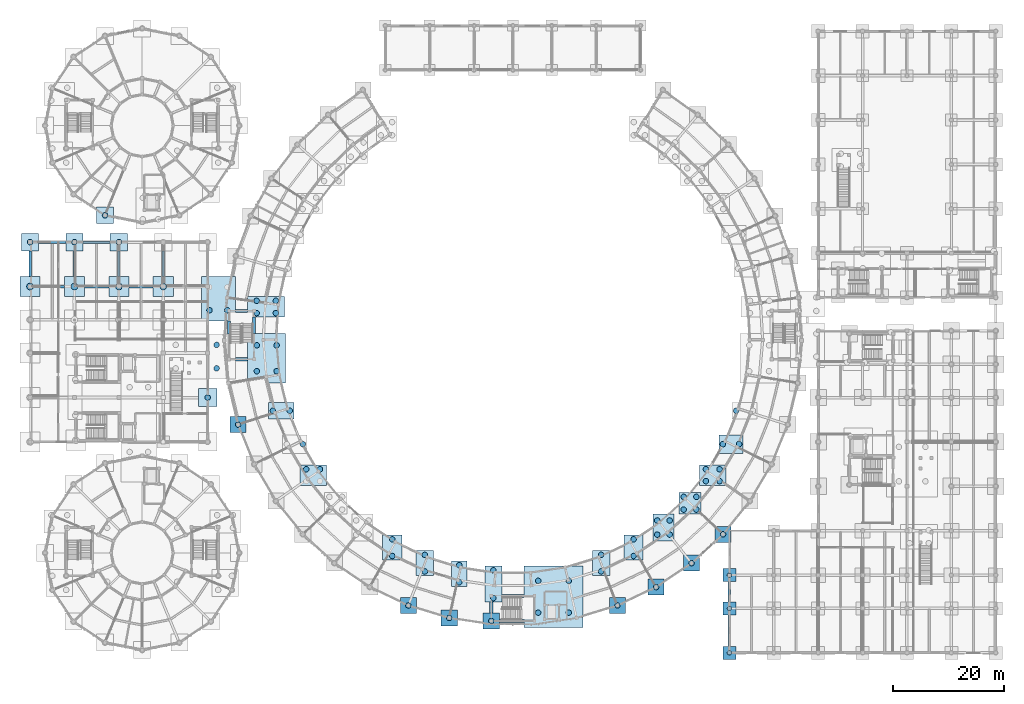
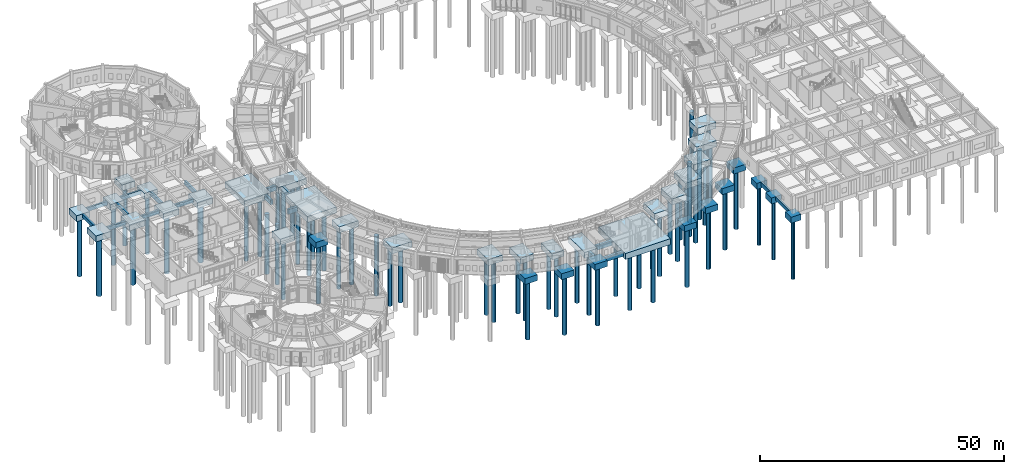
# One storey, part 2 of 153: 68 piles, 54 footings.
"""IFC4 building model written with IfcOpenShell, lengths in metres."""

import ifcopenshell
import ifcopenshell.guid

model = None  # the IFC model being written
_history = None  # IfcOwnerHistory: only IFC2X3 demands one
_inside = {}  # id of a spatial element -> (the spatial element, [elements in it])
_under = {}  # id of a project, library or spatial element -> (it, [spatial elements below it])
_declared = {}  # id of a project -> (the project, [libraries it declares])
_typed = {}  # id of a type object -> (the type object, [elements of that type])
_made_of = {}  # id of a material, layer set ... -> (it, [elements and type objects made of it])


def new_model(schema):
    """Start an empty IFC model of exactly this schema.

    Asked for "IFC4X3", IfcOpenShell would pick the latest addendum, in which some entities
    have other attributes; the version numbers below select the first issue.
    IFC2X3 requires an IfcOwnerHistory on every rooted entity: one is made here for all.
    """
    global model, _history
    if schema == "IFC4X3":
        model = ifcopenshell.file(schema_version=(4, 3, 0, 0))
    else:
        model = ifcopenshell.file(schema=schema)
    _inside.clear()
    _under.clear()
    _declared.clear()
    _typed.clear()
    _made_of.clear()
    _history = None
    if model.schema == "IFC2X3":
        org = make("IfcOrganization", Name="unknown")
        user = make(
            "IfcPersonAndOrganization",
            ThePerson=make("IfcPerson", FamilyName="unknown"),
            TheOrganization=org,
        )
        app = make(
            "IfcApplication",
            ApplicationDeveloper=org,
            Version="unknown",
            ApplicationFullName="unknown",
            ApplicationIdentifier="unknown",
        )
        _history = make(
            "IfcOwnerHistory",
            OwningUser=user,
            OwningApplication=app,
            ChangeAction="ADDED",
            CreationDate=0,
        )
    return model


def make(cls, **values):
    """One entity of the class cls with the attributes given. An attribute that is None is left unset."""
    return model.create_entity(
        cls, **{name: value for name, value in values.items() if value is not None}
    )


def rooted(cls, **values):
    """An entity with a GlobalId (a new one), such as an element, a storey or a relation."""
    return make(cls, GlobalId=ifcopenshell.guid.new(), OwnerHistory=_history, **values)


def si_unit(unit_type, name, prefix=None):
    """IfcSIUnit, for example si_unit("LENGTHUNIT", "METRE", prefix="MILLI")."""
    return make("IfcSIUnit", UnitType=unit_type, Prefix=prefix, Name=name)


def assignment(units):
    """IfcUnitAssignment: the units of a project."""
    return None if units is None else make("IfcUnitAssignment", Units=units)


def point(xyz):
    """IfcCartesianPoint."""
    return None if xyz is None else make("IfcCartesianPoint", Coordinates=xyz)


def direction(xyz):
    """IfcDirection."""
    return None if xyz is None else make("IfcDirection", DirectionRatios=xyz)


def frame(location, z_axis=None, x_axis=None):
    """IfcAxis2Placement3D, a coordinate frame: its origin and axes. An axis left out is left unset."""
    return make(
        "IfcAxis2Placement3D",
        Location=point(location),
        Axis=direction(z_axis),
        RefDirection=direction(x_axis),
    )


def frame_2d(location, x_axis=None):
    """IfcAxis2Placement2D, a coordinate frame in the plane: its origin and x axis."""
    return make(
        "IfcAxis2Placement2D", Location=point(location), RefDirection=direction(x_axis)
    )


def origin():
    """The frame at (0, 0, 0) with its axes left unset."""
    return frame((0.0, 0.0, 0.0))


def origin_2d():
    """The frame at (0, 0) in the plane with its x axis left unset."""
    return frame_2d((0.0, 0.0))


def place(relative_to, where):
    """IfcLocalPlacement: puts the frame where relative to a parent placement (None: the world)."""
    return make(
        "IfcLocalPlacement", PlacementRelTo=relative_to, RelativePlacement=where
    )


def context(
    kind, dimensions, precision=None, world=None, true_north=None, identifier=None
):
    """IfcGeometricRepresentationContext, for example the 3D "Model" context."""
    return make(
        "IfcGeometricRepresentationContext",
        ContextIdentifier=identifier,
        ContextType=kind,
        CoordinateSpaceDimension=dimensions,
        Precision=precision,
        WorldCoordinateSystem=world,
        TrueNorth=true_north,
    )


def subcontext(parent, identifier, kind, view, scale=None):
    """IfcGeometricRepresentationSubContext, for example "Body" below "Model"."""
    return make(
        "IfcGeometricRepresentationSubContext",
        ContextIdentifier=identifier,
        ContextType=kind,
        ParentContext=parent,
        TargetScale=scale,
        TargetView=view,
    )


def project(units=None, contexts=None):
    """IfcProject with its units and contexts."""
    return rooted(
        "IfcProject",
        Name="project",
        RepresentationContexts=contexts,
        UnitsInContext=assignment(units),
    )


def spatial(cls, under=None, at=None, **own):
    """A site, building, storey or space (cls), placed at a placement, below another one or the project."""
    s = rooted(cls, ObjectPlacement=at, **own)
    if under is not None:
        _under.setdefault(under.id(), (under, []))[1].append(s)
    return s


def polyline(points):
    """IfcPolyline through the points."""
    return make("IfcPolyline", Points=[point(p) for p in points])


def profile(cls, at=None, kind="AREA", **sizes):
    """A parametric profile (cls). Its sizes go by their IFC names, for example OverallWidth=200.0."""
    return make(cls, ProfileType=kind, Position=at, **sizes)


def rectangle(**sizes):
    """IfcRectangleProfileDef."""
    return profile("IfcRectangleProfileDef", **sizes)


def circle(**sizes):
    """IfcCircleProfileDef."""
    return profile("IfcCircleProfileDef", **sizes)


def outline(outer, holes=None, kind="AREA"):
    """IfcArbitraryClosedProfileDef: a profile drawn as a closed curve; with holes, ...WithVoids."""
    if holes is None:
        return make("IfcArbitraryClosedProfileDef", ProfileType=kind, OuterCurve=outer)
    return make(
        "IfcArbitraryProfileDefWithVoids",
        ProfileType=kind,
        OuterCurve=outer,
        InnerCurves=holes,
    )


def extrude(swept, where, along, depth):
    """IfcExtrudedAreaSolid: the profile swept, set in the frame where, extruded along a direction by depth."""
    return make(
        "IfcExtrudedAreaSolid",
        SweptArea=swept,
        Position=where,
        ExtrudedDirection=direction(along),
        Depth=depth,
    )


def shape(context_of_items, identifier, shape_type, items):
    """IfcShapeRepresentation: the items that make up one representation, for example the "Body"."""
    return make(
        "IfcShapeRepresentation",
        ContextOfItems=context_of_items,
        RepresentationIdentifier=identifier,
        RepresentationType=shape_type,
        Items=items,
    )


def material(Name=None, Category=None):
    """IfcMaterial."""
    return make("IfcMaterial", Name=Name, Category=Category)


def material_profile(
    of_material, cross_section, Name=None, Category=None, Priority=None
):
    """IfcMaterialProfile: a cross section and its material."""
    return make(
        "IfcMaterialProfile",
        Name=Name,
        Material=of_material,
        Profile=cross_section,
        Priority=Priority,
        Category=Category,
    )


def profile_set(profiles, Name=None, composite=None):
    """IfcMaterialProfileSet."""
    return make(
        "IfcMaterialProfileSet",
        Name=Name,
        MaterialProfiles=profiles,
        CompositeProfile=composite,
    )


def made_of(thing, what):
    """Note that an element or type object is made of a material, layer set ...; save() writes the relation."""
    if what is not None:
        _made_of.setdefault(what.id(), (what, []))[1].append(thing)
    return thing


def type_object(cls, material=None, **own):
    """A type object (cls), such as IfcWallType, which elements share."""
    return made_of(rooted(cls, **own), material)


def element(
    cls,
    number,
    at=None,
    inside=None,
    cuts=None,
    type_object=None,
    material=None,
    context=None,
    identifier="Body",
    shape_type=None,
    held_by="IfcProductDefinitionShape",
    body=None,
    shapes=None,
    **own,
):
    """One element of the class cls, such as IfcWall. Its Tag is "e" and its number.

    at: its placement. inside: the storey or other place that contains it. cuts: it is an
    opening in that element (IfcRelVoidsElement). A single representation is given by context,
    identifier, shape_type and body (its items); several are given by shapes. held_by: the class
    of the entity that holds the representations. save() writes the other relations.
    """
    e = rooted(cls, Tag="e%d" % number, ObjectPlacement=at, **own)
    if body is not None:
        shapes = [shape(context, identifier, shape_type, body)]
    if shapes is not None:
        e.Representation = make(held_by, Representations=shapes)
    if inside is not None:
        _inside.setdefault(inside.id(), (inside, []))[1].append(e)
    if cuts is not None:
        rooted(
            "IfcRelVoidsElement", RelatingBuildingElement=cuts, RelatedOpeningElement=e
        )
    if type_object is not None:
        _typed.setdefault(type_object.id(), (type_object, []))[1].append(e)
    return made_of(e, material)


def aggregate(whole, parts):
    """IfcRelAggregates: a whole, such as a stair, and the parts it consists of."""
    return rooted("IfcRelAggregates", RelatingObject=whole, RelatedObjects=parts)


def save(model, path):
    """Write the relations noted so far, then the file.

    IfcRelAggregates (storeys below a building ...), IfcRelContainedInSpatialStructure (elements
    in a storey), IfcRelDefinesByType, IfcRelAssociatesMaterial and IfcRelDeclares: one each for
    every whole, place, type object, material and project.
    """
    for whole, parts in _under.values():
        aggregate(whole, parts)
    for where, things in _inside.values():
        rooted(
            "IfcRelContainedInSpatialStructure",
            RelatedElements=things,
            RelatingStructure=where,
        )
    for kind, things in _typed.values():
        rooted("IfcRelDefinesByType", RelatedObjects=things, RelatingType=kind)
    for what, things in _made_of.values():
        rooted("IfcRelAssociatesMaterial", RelatedObjects=things, RelatingMaterial=what)
    for by, libraries in _declared.values():
        rooted("IfcRelDeclares", RelatingContext=by, RelatedDefinitions=libraries)
    model.write(path)


model = new_model("IFC4")

# Units and contexts
model_context = context("Model", 3, precision=1e-05, world=origin(), true_north=direction((0.0, 1.0)))
body_context = subcontext(model_context, "Body", "Model", "MODEL_VIEW")
ifc_project = project(units=[si_unit("LENGTHUNIT", "METRE"), si_unit("AREAUNIT", "SQUARE_METRE"), si_unit("VOLUMEUNIT", "CUBIC_METRE"), si_unit("PLANEANGLEUNIT", "RADIAN"), si_unit("MASSUNIT", "GRAM", prefix="KILO")], contexts=[model_context])

# Site, building, storey
site_placement = place(None, origin())
site = spatial("IfcSite", under=ifc_project, at=site_placement, CompositionType="ELEMENT")
building_placement = place(site_placement, origin())
building = spatial("IfcBuilding", under=site, at=building_placement, Name="Celadon Cloister-Ring School", CompositionType="ELEMENT")
storey_placement = place(building_placement, origin())
storey = spatial("IfcBuildingStorey", under=building, at=storey_placement, Name="L00", CompositionType="ELEMENT", Elevation=0.0)

# Footings
ifc_material_1 = material(Name="Concrete C40/50", Category="concrete")
footing_type_1 = type_object("IfcFootingType", Name="FC-01", PredefinedType="PILE_CAP", material=ifc_material_1)
footing_1_placement = place(storey_placement, frame((42.638916015625, 55.072998046875, -1.5), z_axis=(0.0, 0.0, 1.0), x_axis=(1.0, 0.0, 0.0)))
element("IfcFooting", 1, at=footing_1_placement, inside=storey, type_object=footing_type_1, Name="Pile Cap 009", PredefinedType="PILE_CAP", context=body_context, shape_type="SweptSolid", body=[
    extrude(rectangle(XDim=6.839111328125, YDim=8.972900390625, at=origin_2d()), origin(), (0.0, 0.0, 1.0), 1.5),
])
ifc_material_2 = material(Name="Concrete C40/50", Category="concrete")
footing_type_2 = type_object("IfcFootingType", Name="FC-02", PredefinedType="PILE_CAP", material=ifc_material_2)
footing_2_placement = place(storey_placement, frame((33.925048828125, 65.81005859375, -1.5), z_axis=(0.0, 0.0, 1.0), x_axis=(1.0, 0.0, 0.0)))
element("IfcFooting", 2, at=footing_2_placement, inside=storey, type_object=footing_type_2, Name="Pile Cap 011", PredefinedType="PILE_CAP", context=body_context, shape_type="SweptSolid", body=[
    extrude(rectangle(XDim=6.14990234375, YDim=7.9951171875, at=origin_2d()), origin(), (0.0, 0.0, 1.0), 1.5),
])
ifc_material_3 = material(Name="Concrete C40/50", Category="concrete")
footing_type_3 = type_object("IfcFootingType", Name="FC-04", PredefinedType="PILE_CAP", material=ifc_material_3)
footing_3_placement = place(storey_placement, frame((42.552001953125, 64.325927734375, -1.5), z_axis=(0.0, 0.0, 1.0), x_axis=(1.0, 0.0, 0.0)))
element("IfcFooting", 3, at=footing_3_placement, inside=storey, type_object=footing_type_3, Name="Pile Cap 010", PredefinedType="PILE_CAP", context=body_context, shape_type="SweptSolid", body=[
    extrude(rectangle(XDim=6.6650390625, YDim=3.7119140625, at=origin_2d()), origin(), (0.0, 0.0, 1.0), 1.5),
])
ifc_material_4 = material(Name="Concrete C40/50", Category="concrete")
footing_type_4 = type_object("IfcFootingType", Name="FC-05", PredefinedType="PILE_CAP", material=ifc_material_4)
for number, where, z_axis, x_axis, name in (
    (4, (83.10009765625, 7.75, -1.5), (0.0, 0.0, 1.0), (1.0, 0.0, 0.0), "Pile Cap 005"),
    (5, (37.485107421875, 43.117919921875, -1.5), (0.0, 0.0, 1.0), (1.0, 0.0, 0.0), "Pile Cap 078"),
    (6, (68.162109375, 10.531982421875, -1.5), (0.0, 0.0, 1.0), (1.0, 0.0, 0.0), "Pile Cap 084"),
    (7, (75.529052734375, 8.281005859375, -1.5), (0.0, 0.0, 1.0), (1.0, 0.0, 0.0), "Pile Cap 085"),
    (8, (105.837890625, 10.531982421875, -1.5), (0.0, 0.0, 1.0), (1.0, 0.0, 0.0), "Pile Cap 086"),
    (9, (112.7919921875, 13.846923828125, -1.5), (0.0, 0.0, 1.0), (1.0, 0.0, 0.0), "Pile Cap 087"),
    (10, (119.179931640625, 18.153076171875, -1.5), (0.0, 0.0, 1.0), (1.0, 0.0, 0.0), "Pile Cap 088"),
    (11, (124.862060546875, 23.35595703125, -1.5), (0.0, 0.0, 1.0), (1.0, 0.0, 0.0), "Pile Cap 089"),
):
    element("IfcFooting", number, at=place(storey_placement, frame(where, z_axis=z_axis, x_axis=x_axis)), inside=storey, type_object=footing_type_4, Name=name, PredefinedType="PILE_CAP", context=body_context, shape_type="SweptSolid", body=[
        extrude(rectangle(XDim=2.89990234375, YDim=2.89990234375, at=origin_2d()), origin(), (0.0, 0.0, 1.0), 1.5),
    ])
ifc_material_5 = material(Name="Concrete C40/50", Category="concrete")
footing_type_5 = type_object("IfcFootingType", Name="FC-06", PredefinedType="PILE_CAP", material=ifc_material_5)
footing_4_placement = place(storey_placement, frame((94.31494140625, 12.10791015625, -1.5), z_axis=(0.0, 0.0, 1.0), x_axis=(1.0, 0.0, 0.0)))
element("IfcFooting", 12, at=footing_4_placement, inside=storey, type_object=footing_type_5, Name="Pile Cap 006", PredefinedType="PILE_CAP", context=body_context, shape_type="SweptSolid", body=[
    extrude(rectangle(XDim=10.612060546875, YDim=11.01708984375, at=origin_2d()), origin(), (0.0, 0.0, 1.0), 1.5),
])
ifc_material_6 = material(Name="Concrete C40/50", Category="concrete")
footing_type_6 = type_object("IfcFootingType", Name="FC-07", PredefinedType="PILE_CAP", material=ifc_material_6)
footing_5_placement = place(storey_placement, frame((83.469970703125, 14.367919921875, -1.5), z_axis=(0.0, 0.0, 1.0), x_axis=(1.0, 0.0, 0.0)))
element("IfcFooting", 13, at=footing_5_placement, inside=storey, type_object=footing_type_6, Name="Pile Cap 007", PredefinedType="PILE_CAP", context=body_context, shape_type="SweptSolid", body=[
    extrude(rectangle(XDim=3.041015625, YDim=6.4970703125, at=origin_2d()), origin(), (0.0, 0.0, 1.0), 1.5),
])
ifc_material_7 = material(Name="Concrete C40/50", Category="concrete")
footing_type_7 = type_object("IfcFootingType", Name="FC-21", PredefinedType="PILE_CAP", material=ifc_material_7)
for number, where, z_axis, x_axis, name in (
    (14, (0.0, 68.0, -1.5), (0.0, 0.0, 1.0), (1.0, 0.0, 0.0), "Pile Cap 182"),
    (15, (16.0, 68.0, -1.5), (0.0, 0.0, 1.0), (1.0, 0.0, 0.0), "Pile Cap 185"),
    (16, (24.0, 68.0, -1.5), (0.0, 0.0, 1.0), (1.0, 0.0, 0.0), "Pile Cap 190"),
    (17, (8.0, 68.0, -1.5), (0.0, 0.0, 1.0), (1.0, 0.0, 0.0), "Pile Cap 197"),
):
    element("IfcFooting", number, at=place(storey_placement, frame(where, z_axis=z_axis, x_axis=x_axis)), inside=storey, type_object=footing_type_7, Name=name, PredefinedType="PILE_CAP", context=body_context, shape_type="SweptSolid", body=[
        extrude(rectangle(XDim=3.6201171875, YDim=3.6201171875, at=origin_2d()), origin(), (0.0, 0.0, 1.0), 1.5),
    ])
ifc_material_8 = material(Name="Concrete C40/50", Category="concrete")
footing_type_8 = type_object("IfcFootingType", Name="FC-34", PredefinedType="PILE_CAP", material=ifc_material_8)
footing_6_placement = place(storey_placement, frame((45.26904296875, 45.614013671875, -1.5), z_axis=(0.0, 0.0, 1.0), x_axis=(1.0, 0.0, 0.0)))
element("IfcFooting", 18, at=footing_6_placement, inside=storey, type_object=footing_type_8, Name="Pile Cap 049", PredefinedType="PILE_CAP", context=body_context, shape_type="SweptSolid", body=[
    extrude(rectangle(XDim=4.5380859375, YDim=3.01708984375, at=origin_2d()), origin(), (0.0, 0.0, 1.0), 1.5),
])
ifc_material_9 = material(Name="Concrete C40/50", Category="concrete")
footing_type_9 = type_object("IfcFootingType", Name="FC-35", PredefinedType="PILE_CAP", material=ifc_material_9)
footing_7_placement = place(storey_placement, frame((126.2958984375, 39.595947265625, -1.5), z_axis=(0.0, 0.0, 1.0), x_axis=(1.0, 0.0, 0.0)))
element("IfcFooting", 19, at=footing_7_placement, inside=storey, type_object=footing_type_9, Name="Pile Cap 063", PredefinedType="PILE_CAP", context=body_context, shape_type="SweptSolid", body=[
    extrude(rectangle(XDim=4.406982421875, YDim=3.340087890625, at=origin_2d()), origin(), (0.0, 0.0, 1.0), 1.5),
])
ifc_material_10 = material(Name="Concrete C40/50", Category="concrete")
footing_type_10 = type_object("IfcFootingType", Name="FC-36", PredefinedType="PILE_CAP", material=ifc_material_10)
for number, where, z_axis, x_axis, name in (
    (20, (51.0029296875, 34.00390625, -1.5), (0.0, 0.0, 1.0), (1.0, 0.0, 0.0), "Pile Cap 051"),
    (21, (122.9970703125, 34.00390625, -1.5), (0.0, 0.0, 1.0), (1.0, 0.0, 0.0), "Pile Cap 062"),
):
    element("IfcFooting", number, at=place(storey_placement, frame(where, z_axis=z_axis, x_axis=x_axis)), inside=storey, type_object=footing_type_10, Name=name, PredefinedType="PILE_CAP", context=body_context, shape_type="SweptSolid", body=[
        extrude(rectangle(XDim=4.73291015625, YDim=3.64111328125, at=origin_2d()), origin(), (0.0, 0.0, 1.0), 1.5),
    ])
ifc_material_11 = material(Name="Concrete C40/50", Category="concrete")
footing_type_11 = type_object("IfcFootingType", Name="FC-37", PredefinedType="PILE_CAP", material=ifc_material_11)
footing_8_placement = place(storey_placement, frame((118.909912109375, 28.958984375, -1.5), z_axis=(0.0, 0.0, 1.0), x_axis=(1.0, 0.0, 0.0)))
element("IfcFooting", 22, at=footing_8_placement, inside=storey, type_object=footing_type_11, Name="Pile Cap 061", PredefinedType="PILE_CAP", context=body_context, shape_type="SweptSolid", body=[
    extrude(rectangle(XDim=4.010986328125, YDim=3.910888671875, at=origin_2d()), origin(), (0.0, 0.0, 1.0), 1.5),
])
ifc_material_12 = material(Name="Concrete C40/50", Category="concrete")
footing_type_12 = type_object("IfcFootingType", Name="FC-38", PredefinedType="PILE_CAP", material=ifc_material_12)
footing_9_placement = place(storey_placement, frame((114.12109375, 24.574951171875, -1.5), z_axis=(0.0, 0.0, 1.0), x_axis=(1.0, 0.0, 0.0)))
element("IfcFooting", 23, at=footing_9_placement, inside=storey, type_object=footing_type_12, Name="Pile Cap 060", PredefinedType="PILE_CAP", context=body_context, shape_type="SweptSolid", body=[
    extrude(rectangle(XDim=3.75390625, YDim=4.8798828125, at=origin_2d()), origin(), (0.0, 0.0, 1.0), 1.5),
])
ifc_material_13 = material(Name="Concrete C40/50", Category="concrete")
footing_type_13 = type_object("IfcFootingType", Name="FC-39", PredefinedType="PILE_CAP", material=ifc_material_13)
for number, where, z_axis, x_axis, name in (
    (24, (65.262939453125, 20.946044921875, -1.5), (0.0, 0.0, 1.0), (1.0, 0.0, 0.0), "Pile Cap 054"),
    (25, (108.737060546875, 20.946044921875, -1.5), (0.0, 0.0, 1.0), (1.0, 0.0, 0.0), "Pile Cap 059"),
):
    element("IfcFooting", number, at=place(storey_placement, frame(where, z_axis=z_axis, x_axis=x_axis)), inside=storey, type_object=footing_type_13, Name=name, PredefinedType="PILE_CAP", context=body_context, shape_type="SweptSolid", body=[
        extrude(rectangle(XDim=3.465087890625, YDim=4.5048828125, at=origin_2d()), origin(), (0.0, 0.0, 1.0), 1.5),
    ])
ifc_material_14 = material(Name="Concrete C40/50", Category="concrete")
footing_type_14 = type_object("IfcFootingType", Name="FC-40", PredefinedType="PILE_CAP", material=ifc_material_14)
for number, where, z_axis, x_axis, name in (
    (26, (71.1240234375, 18.152099609375, -1.5), (0.0, 0.0, 1.0), (1.0, 0.0, 0.0), "Pile Cap 055"),
    (27, (102.8759765625, 18.152099609375, -1.5), (0.0, 0.0, 1.0), (1.0, 0.0, 0.0), "Pile Cap 058"),
):
    element("IfcFooting", number, at=place(storey_placement, frame(where, z_axis=z_axis, x_axis=x_axis)), inside=storey, type_object=footing_type_14, Name=name, PredefinedType="PILE_CAP", context=body_context, shape_type="SweptSolid", body=[
        extrude(rectangle(XDim=3.15087890625, YDim=4.489990234375, at=origin_2d()), origin(), (0.0, 0.0, 1.0), 1.5),
    ])
ifc_material_15 = material(Name="Concrete C40/50", Category="concrete")
footing_type_15 = type_object("IfcFootingType", Name="FC-41", PredefinedType="PILE_CAP", material=ifc_material_15)
footing_10_placement = place(storey_placement, frame((77.33203125, 16.2548828125, -1.5), z_axis=(0.0, 0.0, 1.0), x_axis=(1.0, 0.0, 0.0)))
element("IfcFooting", 28, at=footing_10_placement, inside=storey, type_object=footing_type_15, Name="Pile Cap 056", PredefinedType="PILE_CAP", context=body_context, shape_type="SweptSolid", body=[
    extrude(rectangle(XDim=2.819091796875, YDim=4.592041015625, at=origin_2d()), origin(), (0.0, 0.0, 1.0), 1.5),
])
ifc_material_16 = material(Name="Concrete C40/50", Category="concrete")
footing_type_16 = type_object("IfcFootingType", Name="FC-43", PredefinedType="PILE_CAP", material=ifc_material_16)
footing_11_placement = place(storey_placement, frame((13.5029296875, 80.83203125, -1.5), z_axis=(0.0, 0.0, 1.0), x_axis=(1.0, 0.0, 0.0)))
element("IfcFooting", 29, at=footing_11_placement, inside=storey, type_object=footing_type_16, Name="Pile Cap 133", PredefinedType="PILE_CAP", context=body_context, shape_type="SweptSolid", body=[
    extrude(rectangle(XDim=3.0400390625, YDim=3.0400390625, at=origin_2d()), origin(), (0.0, 0.0, 1.0), 1.5),
])
ifc_material_17 = material(Name="Concrete C40/50", Category="concrete")
footing_type_17 = type_object("IfcFootingType", Name="FC-44", PredefinedType="PILE_CAP", material=ifc_material_17)
for number, where, z_axis, x_axis, name in (
    (30, (126.0, 10.0, -1.5), (0.0, 0.0, 1.0), (1.0, 0.0, 0.0), "Pile Cap 136"),
    (31, (126.0, 16.0, -1.5), (0.0, 0.0, 1.0), (1.0, 0.0, 0.0), "Pile Cap 137"),
    (32, (126.0, 2.0, -1.5), (0.0, 0.0, 1.0), (1.0, 0.0, 0.0), "Pile Cap 138"),
):
    element("IfcFooting", number, at=place(storey_placement, frame(where, z_axis=z_axis, x_axis=x_axis)), inside=storey, type_object=footing_type_17, Name=name, PredefinedType="PILE_CAP", context=body_context, shape_type="SweptSolid", body=[
        extrude(rectangle(XDim=2.360107421875, YDim=2.360107421875, at=origin_2d()), origin(), (0.0, 0.0, 1.0), 1.5),
    ])
ifc_material_18 = material(Name="Concrete C40/50", Category="concrete")
footing_type_18 = type_object("IfcFootingType", Name="FC-47", PredefinedType="PILE_CAP", material=ifc_material_18)
for number, where, z_axis, x_axis, name in (
    (33, (0.0, 76.0, -1.5), (0.0, 0.0, 1.0), (1.0, 0.0, 0.0), "Pile Cap 183"),
    (34, (16.0, 76.0, -1.5), (0.0, 0.0, 1.0), (1.0, 0.0, 0.0), "Pile Cap 186"),
    (35, (8.0, 76.0, -1.5), (0.0, 0.0, 1.0), (1.0, 0.0, 0.0), "Pile Cap 198"),
):
    element("IfcFooting", number, at=place(storey_placement, frame(where, z_axis=z_axis, x_axis=x_axis)), inside=storey, type_object=footing_type_18, Name=name, PredefinedType="PILE_CAP", context=body_context, shape_type="SweptSolid", body=[
        extrude(rectangle(XDim=3.1201171875, YDim=3.1201171875, at=origin_2d()), origin(), (0.0, 0.0, 1.0), 1.5),
    ])
ifc_material_19 = material(Name="Concrete C40/50", Category="concrete")
footing_type_19 = type_object("IfcFootingType", Name="FC-49", PredefinedType="PILE_CAP", material=ifc_material_19)
footing_12_placement = place(storey_placement, frame((32.0, 48.0, -1.5), z_axis=(0.0, 0.0, 1.0), x_axis=(1.0, 0.0, 0.0)))
element("IfcFooting", 36, at=footing_12_placement, inside=storey, type_object=footing_type_19, Name="Pile Cap 193", PredefinedType="PILE_CAP", context=body_context, shape_type="SweptSolid", body=[
    extrude(rectangle(XDim=3.320068359375, YDim=3.320068359375, at=origin_2d()), origin(), (0.0, 0.0, 1.0), 1.5),
])

# Piles
ifc_material_20 = material(Name="Concrete C35/45", Category="concrete")
ifc_material_profile_1 = material_profile(ifc_material_20, circle(Radius=0.39990234375, at=origin_2d()), Name="PILE800")
ifc_profile_set_1 = profile_set([ifc_material_profile_1], Name="Concrete C35/45")
pile_type_1 = type_object("IfcPileType", Name="PL-01", PredefinedType="BORED", material=ifc_profile_set_1)
for number, where, z_axis, x_axis, name in (
    (37, (126.0, 10.0, -1.39990234375), (0.0, 0.0, -1.0), (1.0, 0.0, 0.0), "Bored Pile 0274"),
    (38, (126.0, 16.0, -1.39990234375), (0.0, 0.0, -1.0), (1.0, 0.0, 0.0), "Bored Pile 0275"),
    (39, (126.0, 2.0, -1.39990234375), (0.0, 0.0, -1.0), (1.0, 0.0, 0.0), "Bored Pile 0276"),
):
    element("IfcPile", number, at=place(storey_placement, frame(where, z_axis=z_axis, x_axis=x_axis)), inside=storey, type_object=pile_type_1, Name=name, PredefinedType="BORED", context=body_context, shape_type="SweptSolid", body=[
        extrude(circle(Radius=0.39990234375, at=origin_2d()), origin(), (0.0, 0.0, 1.0), 15.0),
    ])
ifc_material_21 = material(Name="Concrete C35/45", Category="concrete")
ifc_material_profile_2 = material_profile(ifc_material_21, circle(Radius=0.5, at=origin_2d()), Name="PILE1000")
ifc_profile_set_2 = profile_set([ifc_material_profile_2], Name="Concrete C35/45")
pile_type_2 = type_object("IfcPileType", Name="PL-02", PredefinedType="BORED", material=ifc_profile_set_2)
for number, where, z_axis, x_axis, name in (
    (40, (83.10009765625, 7.75, -1.39990234375), (0.0, 0.0, -1.0), (1.0, 0.0, 0.0), "Bored Pile 0017"),
    (41, (91.555908203125, 9.243896484375, -1.39990234375), (0.0, 0.0, -1.0), (1.0, 0.0, 0.0), "Bored Pile 0018"),
    (42, (97.073974609375, 9.243896484375, -1.39990234375), (0.0, 0.0, -1.0), (1.0, 0.0, 0.0), "Bored Pile 0019"),
    (43, (97.073974609375, 14.971923828125, -1.39990234375), (0.0, 0.0, -1.0), (1.0, 0.0, 0.0), "Bored Pile 0020"),
    (44, (91.555908203125, 14.971923828125, -1.39990234375), (0.0, 0.0, -1.0), (1.0, 0.0, 0.0), "Bored Pile 0021"),
    (45, (83.469970703125, 11.8701171875, -1.39990234375), (0.0, 0.0, -1.0), (1.0, 0.0, 0.0), "Bored Pile 0022"),
    (46, (83.469970703125, 16.865966796875, -1.39990234375), (0.0, 0.0, -1.0), (1.0, 0.0, 0.0), "Bored Pile 0023"),
    (47, (33.60400390625, 53.2509765625, -1.39990234375), (0.0, 0.0, -1.0), (1.0, 0.0, 0.0), "Bored Pile 0025"),
    (48, (33.60400390625, 57.47900390625, -1.39990234375), (0.0, 0.0, -1.0), (1.0, 0.0, 0.0), "Bored Pile 0026"),
    (49, (40.861083984375, 52.739990234375, -1.39990234375), (0.0, 0.0, -1.0), (1.0, 0.0, 0.0), "Bored Pile 0028"),
    (50, (44.4169921875, 52.739990234375, -1.39990234375), (0.0, 0.0, -1.0), (1.0, 0.0, 0.0), "Bored Pile 0029"),
    (51, (44.4169921875, 57.406005859375, -1.39990234375), (0.0, 0.0, -1.0), (1.0, 0.0, 0.0), "Bored Pile 0030"),
    (52, (40.861083984375, 57.406005859375, -1.39990234375), (0.0, 0.0, -1.0), (1.0, 0.0, 0.0), "Bored Pile 0031"),
    (53, (40.819091796875, 63.219970703125, -1.39990234375), (0.0, 0.0, -1.0), (1.0, 0.0, 0.0), "Bored Pile 0032"),
    (54, (44.284912109375, 63.219970703125, -1.39990234375), (0.0, 0.0, -1.0), (1.0, 0.0, 0.0), "Bored Pile 0033"),
    (55, (44.284912109375, 65.431884765625, -1.39990234375), (0.0, 0.0, -1.0), (1.0, 0.0, 0.0), "Bored Pile 0034"),
    (56, (40.819091796875, 65.431884765625, -1.39990234375), (0.0, 0.0, -1.0), (1.0, 0.0, 0.0), "Bored Pile 0035"),
    (57, (32.325927734375, 63.73095703125, -1.39990234375), (0.0, 0.0, -1.0), (1.0, 0.0, 0.0), "Bored Pile 0036"),
    (58, (35.52392578125, 63.73095703125, -1.39990234375), (0.0, 0.0, -1.0), (1.0, 0.0, 0.0), "Bored Pile 0037"),
    (59, (43.75, 45.614013671875, -1.39990234375), (0.0, 0.0, -1.0), (1.0, 0.0, 0.0), "Bored Pile 0148"),
    (60, (46.7880859375, 45.614013671875, -1.39990234375), (0.0, 0.0, -1.0), (1.0, 0.0, 0.0), "Bored Pile 0149"),
    (61, (49.158935546875, 39.595947265625, -1.39990234375), (0.0, 0.0, -1.0), (1.0, 0.0, 0.0), "Bored Pile 0151"),
    (62, (52.23388671875, 35.074951171875, -1.39990234375), (0.0, 0.0, -1.0), (1.0, 0.0, 0.0), "Bored Pile 0154"),
    (63, (49.77197265625, 35.074951171875, -1.39990234375), (0.0, 0.0, -1.0), (1.0, 0.0, 0.0), "Bored Pile 0155"),
    (64, (65.262939453125, 19.444091796875, -1.39990234375), (0.0, 0.0, -1.0), (1.0, 0.0, 0.0), "Bored Pile 0164"),
    (65, (65.262939453125, 22.447998046875, -1.39990234375), (0.0, 0.0, -1.0), (1.0, 0.0, 0.0), "Bored Pile 0165"),
    (66, (71.1240234375, 16.656982421875, -1.39990234375), (0.0, 0.0, -1.0), (1.0, 0.0, 0.0), "Bored Pile 0166"),
    (67, (71.1240234375, 19.64697265625, -1.39990234375), (0.0, 0.0, -1.0), (1.0, 0.0, 0.0), "Bored Pile 0167"),
    (68, (77.33203125, 14.708984375, -1.39990234375), (0.0, 0.0, -1.0), (1.0, 0.0, 0.0), "Bored Pile 0168"),
    (69, (77.33203125, 17.801025390625, -1.39990234375), (0.0, 0.0, -1.0), (1.0, 0.0, 0.0), "Bored Pile 0169"),
    (70, (102.8759765625, 16.656982421875, -1.39990234375), (0.0, 0.0, -1.0), (1.0, 0.0, 0.0), "Bored Pile 0170"),
    (71, (102.8759765625, 19.64697265625, -1.39990234375), (0.0, 0.0, -1.0), (1.0, 0.0, 0.0), "Bored Pile 0171"),
    (72, (108.737060546875, 19.444091796875, -1.39990234375), (0.0, 0.0, -1.0), (1.0, 0.0, 0.0), "Bored Pile 0172"),
    (73, (108.737060546875, 22.447998046875, -1.39990234375), (0.0, 0.0, -1.0), (1.0, 0.0, 0.0), "Bored Pile 0173"),
    (74, (112.993896484375, 23.305908203125, -1.39990234375), (0.0, 0.0, -1.0), (1.0, 0.0, 0.0), "Bored Pile 0174"),
    (75, (115.248046875, 23.305908203125, -1.39990234375), (0.0, 0.0, -1.0), (1.0, 0.0, 0.0), "Bored Pile 0175"),
    (76, (115.248046875, 25.843994140625, -1.39990234375), (0.0, 0.0, -1.0), (1.0, 0.0, 0.0), "Bored Pile 0176"),
    (77, (112.993896484375, 25.843994140625, -1.39990234375), (0.0, 0.0, -1.0), (1.0, 0.0, 0.0), "Bored Pile 0177"),
    (78, (117.760009765625, 27.80908203125, -1.39990234375), (0.0, 0.0, -1.0), (1.0, 0.0, 0.0), "Bored Pile 0178"),
    (79, (120.06005859375, 27.80908203125, -1.39990234375), (0.0, 0.0, -1.0), (1.0, 0.0, 0.0), "Bored Pile 0179"),
    (80, (120.06005859375, 30.10888671875, -1.39990234375), (0.0, 0.0, -1.0), (1.0, 0.0, 0.0), "Bored Pile 0180"),
    (81, (117.760009765625, 30.10888671875, -1.39990234375), (0.0, 0.0, -1.0), (1.0, 0.0, 0.0), "Bored Pile 0181"),
    (82, (121.76611328125, 32.93310546875, -1.39990234375), (0.0, 0.0, -1.0), (1.0, 0.0, 0.0), "Bored Pile 0182"),
    (83, (124.22802734375, 32.93310546875, -1.39990234375), (0.0, 0.0, -1.0), (1.0, 0.0, 0.0), "Bored Pile 0183"),
    (84, (124.22802734375, 35.074951171875, -1.39990234375), (0.0, 0.0, -1.0), (1.0, 0.0, 0.0), "Bored Pile 0184"),
    (85, (121.76611328125, 35.074951171875, -1.39990234375), (0.0, 0.0, -1.0), (1.0, 0.0, 0.0), "Bored Pile 0185"),
    (86, (124.842041015625, 39.595947265625, -1.39990234375), (0.0, 0.0, -1.0), (1.0, 0.0, 0.0), "Bored Pile 0186"),
    (87, (127.75, 39.595947265625, -1.39990234375), (0.0, 0.0, -1.0), (1.0, 0.0, 0.0), "Bored Pile 0187"),
    (88, (127.2119140625, 45.614013671875, -1.39990234375), (0.0, 0.0, -1.0), (1.0, 0.0, 0.0), "Bored Pile 0188"),
    (89, (37.485107421875, 43.117919921875, -1.39990234375), (0.0, 0.0, -1.0), (1.0, 0.0, 0.0), "Bored Pile 0216"),
    (90, (68.162109375, 10.531982421875, -1.39990234375), (0.0, 0.0, -1.0), (1.0, 0.0, 0.0), "Bored Pile 0222"),
    (91, (75.529052734375, 8.281005859375, -1.39990234375), (0.0, 0.0, -1.0), (1.0, 0.0, 0.0), "Bored Pile 0223"),
    (92, (105.837890625, 10.531982421875, -1.39990234375), (0.0, 0.0, -1.0), (1.0, 0.0, 0.0), "Bored Pile 0224"),
    (93, (112.7919921875, 13.846923828125, -1.39990234375), (0.0, 0.0, -1.0), (1.0, 0.0, 0.0), "Bored Pile 0225"),
    (94, (119.179931640625, 18.153076171875, -1.39990234375), (0.0, 0.0, -1.0), (1.0, 0.0, 0.0), "Bored Pile 0226"),
    (95, (124.862060546875, 23.35595703125, -1.39990234375), (0.0, 0.0, -1.0), (1.0, 0.0, 0.0), "Bored Pile 0227"),
    (96, (13.5029296875, 80.83203125, -1.39990234375), (0.0, 0.0, -1.0), (1.0, 0.0, 0.0), "Bored Pile 0271"),
    (97, (0.0, 76.0, -1.39990234375), (0.0, 0.0, -1.0), (1.0, 0.0, 0.0), "Bored Pile 0320"),
    (98, (16.0, 76.0, -1.39990234375), (0.0, 0.0, -1.0), (1.0, 0.0, 0.0), "Bored Pile 0323"),
    (99, (32.0, 48.0, -1.39990234375), (0.0, 0.0, -1.0), (1.0, 0.0, 0.0), "Bored Pile 0330"),
    (100, (8.0, 76.0, -1.39990234375), (0.0, 0.0, -1.0), (1.0, 0.0, 0.0), "Bored Pile 0334"),
):
    element("IfcPile", number, at=place(storey_placement, frame(where, z_axis=z_axis, x_axis=x_axis)), inside=storey, type_object=pile_type_2, Name=name, PredefinedType="BORED", context=body_context, shape_type="SweptSolid", body=[
        extrude(circle(Radius=0.5, at=origin_2d()), origin(), (0.0, 0.0, 1.0), 15.0),
    ])
ifc_material_22 = material(Name="Concrete C35/45", Category="concrete")
ifc_material_profile_3 = material_profile(ifc_material_22, circle(Radius=0.60009765625, at=origin_2d()), Name="PILE1200")
ifc_profile_set_3 = profile_set([ifc_material_profile_3], Name="Concrete C35/45")
pile_type_3 = type_object("IfcPileType", Name="PL-03", PredefinedType="BORED", material=ifc_profile_set_3)
for number, where, z_axis, x_axis, name in (
    (101, (0.0, 68.0, -1.39990234375), (0.0, 0.0, -1.0), (1.0, 0.0, 0.0), "Bored Pile 0319"),
    (102, (16.0, 68.0, -1.39990234375), (0.0, 0.0, -1.0), (1.0, 0.0, 0.0), "Bored Pile 0322"),
    (103, (24.0, 68.0, -1.39990234375), (0.0, 0.0, -1.0), (1.0, 0.0, 0.0), "Bored Pile 0327"),
    (104, (8.0, 68.0, -1.39990234375), (0.0, 0.0, -1.0), (1.0, 0.0, 0.0), "Bored Pile 0333"),
):
    element("IfcPile", number, at=place(storey_placement, frame(where, z_axis=z_axis, x_axis=x_axis)), inside=storey, type_object=pile_type_3, Name=name, PredefinedType="BORED", context=body_context, shape_type="SweptSolid", body=[
        extrude(circle(Radius=0.60009765625, at=origin_2d()), origin(), (0.0, 0.0, 1.0), 15.0),
    ])

# Footings
ifc_material_23 = material(Name="Concrete C40/50", Category="concrete")
footing_type_20 = type_object("IfcFootingType", Name="SF-01", PredefinedType="STRIP_FOOTING", material=ifc_material_23)
footing_13_placement = place(storey_placement, frame((0.0, 0.0, -0.949951171875)))
element("IfcFooting", 105, at=footing_13_placement, inside=storey, type_object=footing_type_20, Name="Seismic Tie Strip 0039", PredefinedType="STRIP_FOOTING", context=body_context, shape_type="SweptSolid", body=[
    extrude(outline(polyline([(126.22509765625, 11.18505859375), (126.22509765625, 14.81494140625), (125.77490234375, 14.81494140625), (125.77490234375, 11.18505859375), (126.22509765625, 11.18505859375)])), origin(), (0.0, 0.0, 1.0), 0.949951171875),
])
footing_14_placement = place(storey_placement, frame((0.0, 0.0, -0.949951171875)))
element("IfcFooting", 106, at=footing_14_placement, inside=storey, type_object=footing_type_20, Name="Seismic Tie Strip 0040", PredefinedType="STRIP_FOOTING", context=body_context, shape_type="SweptSolid", body=[
    extrude(outline(polyline([(125.77490234375, 8.81494140625), (125.77490234375, 3.18505859375), (126.22509765625, 3.18505859375), (126.22509765625, 8.81494140625), (125.77490234375, 8.81494140625)])), origin(), (0.0, 0.0, 1.0), 0.949951171875),
])
footing_15_placement = place(storey_placement, frame((0.0, 0.0, -0.949951171875)))
element("IfcFooting", 107, at=footing_15_placement, inside=storey, type_object=footing_type_20, Name="Seismic Tie Strip 0105", PredefinedType="STRIP_FOOTING", context=body_context, shape_type="SweptSolid", body=[
    extrude(outline(polyline([(0.22509765625, 69.81494140625), (0.22509765625, 74.43505859375), (-0.22509765625, 74.43505859375), (-0.22509765625, 69.81494140625), (0.22509765625, 69.81494140625)])), origin(), (0.0, 0.0, 1.0), 0.949951171875),
])
footing_16_placement = place(storey_placement, frame((0.0, 0.0, -0.949951171875)))
element("IfcFooting", 108, at=footing_16_placement, inside=storey, type_object=footing_type_20, Name="Seismic Tie Strip 0106", PredefinedType="STRIP_FOOTING", context=body_context, shape_type="SweptSolid", body=[
    extrude(outline(polyline([(1.81494140625, 67.77490234375), (6.18505859375, 67.77490234375), (6.18505859375, 68.22509765625), (1.81494140625, 68.22509765625), (1.81494140625, 67.77490234375)])), origin(), (0.0, 0.0, 1.0), 0.949951171875),
])
footing_17_placement = place(storey_placement, frame((0.0, 0.0, -0.949951171875)))
element("IfcFooting", 109, at=footing_17_placement, inside=storey, type_object=footing_type_20, Name="Seismic Tie Strip 0107", PredefinedType="STRIP_FOOTING", context=body_context, shape_type="SweptSolid", body=[
    extrude(outline(polyline([(1.56494140625, 75.77490234375), (6.43505859375, 75.77490234375), (6.43505859375, 76.22509765625), (1.56494140625, 76.22509765625), (1.56494140625, 75.77490234375)])), origin(), (0.0, 0.0, 1.0), 0.949951171875),
])
footing_18_placement = place(storey_placement, frame((0.0, 0.0, -0.949951171875)))
element("IfcFooting", 110, at=footing_18_placement, inside=storey, type_object=footing_type_20, Name="Seismic Tie Strip 0111", PredefinedType="STRIP_FOOTING", context=body_context, shape_type="SweptSolid", body=[
    extrude(outline(polyline([(16.22509765625, 69.81494140625), (16.22509765625, 74.43505859375), (15.77490234375, 74.43505859375), (15.77490234375, 69.81494140625), (16.22509765625, 69.81494140625)])), origin(), (0.0, 0.0, 1.0), 0.949951171875),
])
footing_19_placement = place(storey_placement, frame((0.0, 0.0, -0.949951171875)))
element("IfcFooting", 111, at=footing_19_placement, inside=storey, type_object=footing_type_20, Name="Seismic Tie Strip 0112", PredefinedType="STRIP_FOOTING", context=body_context, shape_type="SweptSolid", body=[
    extrude(outline(polyline([(17.81494140625, 67.77490234375), (22.18505859375, 67.77490234375), (22.18505859375, 68.22509765625), (17.81494140625, 68.22509765625), (17.81494140625, 67.77490234375)])), origin(), (0.0, 0.0, 1.0), 0.949951171875),
])
footing_20_placement = place(storey_placement, frame((0.0, 0.0, -0.949951171875)))
element("IfcFooting", 112, at=footing_20_placement, inside=storey, type_object=footing_type_20, Name="Seismic Tie Strip 0113", PredefinedType="STRIP_FOOTING", context=body_context, shape_type="SweptSolid", body=[
    extrude(outline(polyline([(14.18505859375, 68.22509765625), (9.81494140625, 68.22509765625), (9.81494140625, 67.77490234375), (14.18505859375, 67.77490234375), (14.18505859375, 68.22509765625)])), origin(), (0.0, 0.0, 1.0), 0.949951171875),
])
footing_21_placement = place(storey_placement, frame((0.0, 0.0, -0.949951171875)))
element("IfcFooting", 113, at=footing_21_placement, inside=storey, type_object=footing_type_20, Name="Seismic Tie Strip 0115", PredefinedType="STRIP_FOOTING", context=body_context, shape_type="SweptSolid", body=[
    extrude(outline(polyline([(14.43505859375, 76.22509765625), (9.56494140625, 76.22509765625), (9.56494140625, 75.77490234375), (14.43505859375, 75.77490234375), (14.43505859375, 76.22509765625)])), origin(), (0.0, 0.0, 1.0), 0.949951171875),
])
footing_22_placement = place(storey_placement, frame((0.0, 0.0, -0.949951171875)))
element("IfcFooting", 114, at=footing_22_placement, inside=storey, type_object=footing_type_20, Name="Seismic Tie Strip 0120", PredefinedType="STRIP_FOOTING", context=body_context, shape_type="SweptSolid", body=[
    extrude(outline(polyline([(24.22509765625, 69.81494140625), (24.22509765625, 74.43505859375), (23.77490234375, 74.43505859375), (23.77490234375, 69.81494140625), (24.22509765625, 69.81494140625)])), origin(), (0.0, 0.0, 1.0), 0.949951171875),
])
footing_23_placement = place(storey_placement, frame((0.0, 0.0, -0.949951171875)))
element("IfcFooting", 115, at=footing_23_placement, inside=storey, type_object=footing_type_20, Name="Seismic Tie Strip 0124", PredefinedType="STRIP_FOOTING", context=body_context, shape_type="SweptSolid", body=[
    extrude(outline(polyline([(8.22509765625, 69.81494140625), (8.22509765625, 74.43505859375), (7.77490234375, 74.43505859375), (7.77490234375, 69.81494140625), (8.22509765625, 69.81494140625)])), origin(), (0.0, 0.0, 1.0), 0.949951171875),
])
ifc_material_24 = material(Name="Concrete C40/50", Category="concrete")
footing_type_21 = type_object("IfcFootingType", Name="SF-02", PredefinedType="STRIP_FOOTING", material=ifc_material_24)
footing_24_placement = place(storey_placement, frame((0.0, 0.0, -1.199951171875)))
element("IfcFooting", 116, at=footing_24_placement, inside=storey, type_object=footing_type_21, Name="Seismic Tie Strip 0167", PredefinedType="STRIP_FOOTING", context=body_context, shape_type="SweptSolid", body=[
    extrude(outline(polyline([(84.554931640625, 7.47509765625), (89.00390625, 7.47509765625), (89.00390625, 8.02490234375), (84.554931640625, 8.02490234375), (84.554931640625, 7.47509765625)])), origin(), (0.0, 0.0, 1.0), 1.199951171875),
])
footing_25_placement = place(storey_placement, frame((0.0, 0.0, -1.199951171875)))
element("IfcFooting", 117, at=footing_25_placement, inside=storey, type_object=footing_type_21, Name="Seismic Tie Strip 0168", PredefinedType="STRIP_FOOTING", context=body_context, shape_type="SweptSolid", body=[
    extrude(outline(polyline([(89.00390625, 12.544921875), (84.9951171875, 12.544921875), (84.9951171875, 11.9951171875), (89.00390625, 11.9951171875), (89.00390625, 12.544921875)])), origin(), (0.0, 0.0, 1.0), 1.199951171875),
])
footing_26_placement = place(storey_placement, frame((0.0, 0.0, -1.199951171875)))
element("IfcFooting", 118, at=footing_26_placement, inside=storey, type_object=footing_type_21, Name="Seismic Tie Strip 0169", PredefinedType="STRIP_FOOTING", context=body_context, shape_type="SweptSolid", body=[
    extrude(outline(polyline([(82.824951171875, 11.114990234375), (82.824951171875, 9.205078125), (83.375, 9.205078125), (83.375, 11.114990234375), (82.824951171875, 11.114990234375)])), origin(), (0.0, 0.0, 1.0), 1.199951171875),
])
footing_27_placement = place(storey_placement, frame((0.0, 0.0, -1.199951171875)))
element("IfcFooting", 119, at=footing_27_placement, inside=storey, type_object=footing_type_21, Name="Seismic Tie Strip 0170", PredefinedType="STRIP_FOOTING", context=body_context, shape_type="SweptSolid", body=[
    extrude(outline(polyline([(37.0048828125, 54.625), (39.215087890625, 54.625), (39.215087890625, 55.175048828125), (37.0048828125, 55.175048828125), (37.0048828125, 54.625)])), origin(), (0.0, 0.0, 1.0), 1.199951171875),
])
footing_28_placement = place(storey_placement, frame((0.0, 0.0, -1.199951171875)))
element("IfcFooting", 120, at=footing_28_placement, inside=storey, type_object=footing_type_21, Name="Seismic Tie Strip 0171", PredefinedType="STRIP_FOOTING", context=body_context, shape_type="SweptSolid", body=[
    extrude(outline(polyline([(40.64501953125, 59.56396484375), (40.64501953125, 62.465087890625), (40.094970703125, 62.465087890625), (40.094970703125, 59.56396484375), (40.64501953125, 59.56396484375)])), origin(), (0.0, 0.0, 1.0), 1.199951171875),
])
footing_29_placement = place(storey_placement, frame((0.0, 0.0, -1.199951171875)))
element("IfcFooting", 121, at=footing_29_placement, inside=storey, type_object=footing_type_21, Name="Seismic Tie Strip 0172", PredefinedType="STRIP_FOOTING", context=body_context, shape_type="SweptSolid", body=[
    extrude(outline(polyline([(39.214111328125, 63.89501953125), (37.0048828125, 63.89501953125), (37.0048828125, 63.344970703125), (39.214111328125, 63.344970703125), (39.214111328125, 63.89501953125)])), origin(), (0.0, 0.0, 1.0), 1.199951171875),
])
footing_30_placement = place(storey_placement, frame((0.0, 0.0, -1.199951171875)))
element("IfcFooting", 122, at=footing_30_placement, inside=storey, type_object=footing_type_21, Name="Seismic Tie Strip 0173", PredefinedType="STRIP_FOOTING", context=body_context, shape_type="SweptSolid", body=[
    extrude(outline(polyline([(35.574951171875, 61.806884765625), (35.574951171875, 59.43603515625), (36.125, 59.43603515625), (36.125, 61.806884765625), (35.574951171875, 61.806884765625)])), origin(), (0.0, 0.0, 1.0), 1.199951171875),
])

save(model, "model.ifc")
